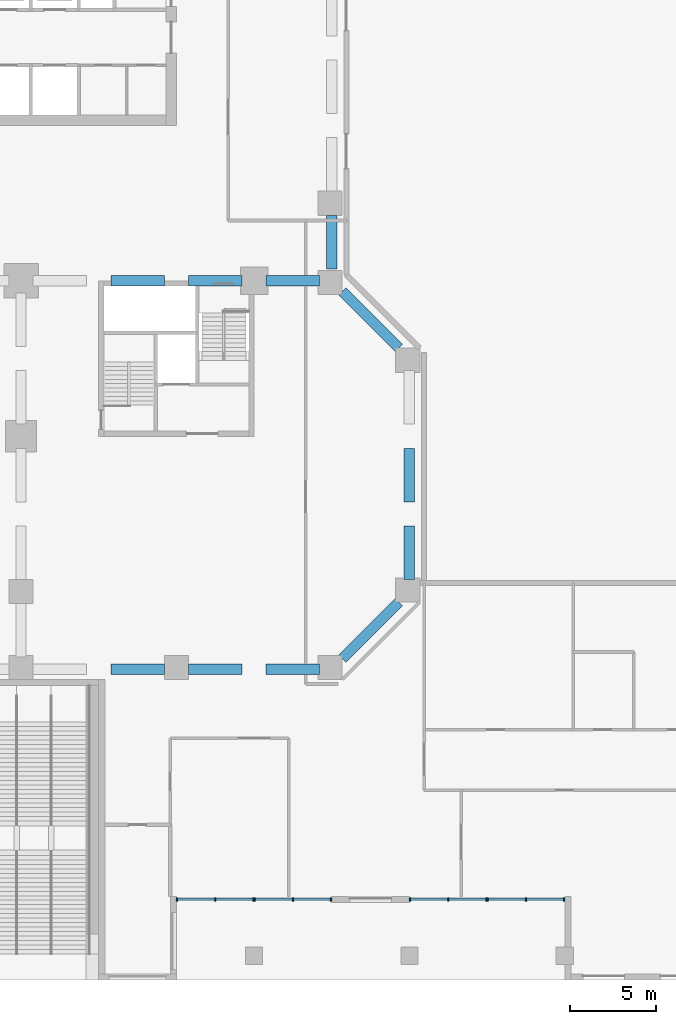
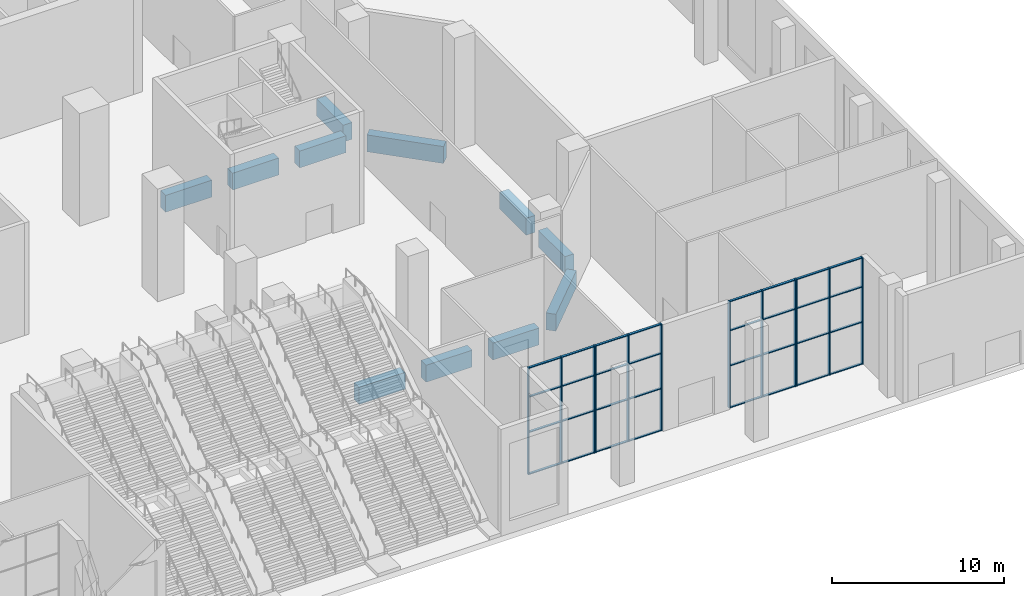
# One storey, part 4 of 32: 44 members, 11 beams, 4 elements without a shape of their own.
"""IFC4 building model written with IfcOpenShell, lengths in metres."""

from ifc_helpers import new_model, si_unit, direction, frame, origin, origin_2d, place, context, subcontext, project, spatial, rectangle, extrude, material, constituent, constituent_set, material_profile, profile_set, type_object, element, aggregate, save


model = new_model("IFC4")

# Units and contexts
model_context = context("Model", 3, precision=1e-05, world=origin(), true_north=direction((0.0, 1.0)))
body_context = subcontext(model_context, "Body", "Model", "MODEL_VIEW")
ifc_project = project(units=[si_unit("LENGTHUNIT", "METRE"), si_unit("AREAUNIT", "SQUARE_METRE"), si_unit("VOLUMEUNIT", "CUBIC_METRE"), si_unit("PLANEANGLEUNIT", "RADIAN"), si_unit("MASSUNIT", "GRAM", prefix="KILO")], contexts=[model_context])

# Site, building, storey
site_placement = place(None, origin())
site = spatial("IfcSite", under=ifc_project, at=site_placement, CompositionType="ELEMENT")
building_placement = place(site_placement, origin())
building = spatial("IfcBuilding", under=site, at=building_placement, Name="Quoin Convention Tower", CompositionType="ELEMENT")
storey_placement = place(building_placement, origin())
storey = spatial("IfcBuildingStorey", under=building, at=storey_placement, Name="L00", CompositionType="ELEMENT", Elevation=0.0)

# Curtain wall, members
ifc_material_1 = material(Name="Aluminium", Category="aluminium")
ifc_constituent_1 = constituent(ifc_material_1, Name="Frame")
ifc_material_2 = material(Name="Insulated glass", Category="glass")
ifc_constituent_2 = constituent(ifc_material_2, Name="Glazing")
ifc_constituent_set = constituent_set(constituents=[ifc_constituent_1, ifc_constituent_2], Name="Aluminium")
curtain_wall_type = type_object("IfcCurtainWallType", Name="Entrance wall system", PredefinedType="NOTDEFINED", material=ifc_constituent_set)
curtain_wall_1_placement = place(storey_placement, origin())
curtain_wall_1 = element("IfcCurtainWall", 1, at=curtain_wall_1_placement, inside=storey, type_object=curtain_wall_type, Name="cw-ENT-L00-67500_4675", PredefinedType="NOTDEFINED")
ifc_material_profile_1 = material_profile(ifc_material_1, rectangle(XDim=0.199951171875, YDim=0.074951171875, at=origin_2d()), Name="Entrance wall mullion 75x200")
ifc_profile_set_1 = profile_set([ifc_material_profile_1], Name="Aluminium")
member_type_1 = type_object("IfcMemberType", Name="Entrance wall mullion 75x200", PredefinedType="MULLION", material=ifc_profile_set_1)
member_1_placement = place(storey_placement, frame((67.53759765625, 4.675048828125, 0.0), z_axis=(0.0, 0.0, 1.0), x_axis=(0.0, 1.0, 0.0)))
member_1 = element("IfcMember", 2, at=member_1_placement, type_object=member_type_1, Name="CW1 mullion 1", PredefinedType="MULLION", context=body_context, shape_type="SweptSolid", body=[
    extrude(rectangle(XDim=0.199951171875, YDim=0.074951171875, at=origin_2d()), origin(), (0.0, 0.0, 1.0), 7.590087890625),
])
member_2_placement = place(storey_placement, frame((69.75, 4.675048828125, 0.0), z_axis=(0.0, 0.0, 1.0), x_axis=(0.0, 1.0, 0.0)))
member_2 = element("IfcMember", 3, at=member_2_placement, type_object=member_type_1, Name="CW1 mullion 2", PredefinedType="MULLION", context=body_context, shape_type="SweptSolid", body=[
    extrude(rectangle(XDim=0.199951171875, YDim=0.074951171875, at=origin_2d()), origin(), (0.0, 0.0, 1.0), 7.590087890625),
])
member_3_placement = place(storey_placement, frame((71.96240234375, 4.675048828125, 0.0), z_axis=(0.0, 0.0, 1.0), x_axis=(0.0, 1.0, 0.0)))
member_3 = element("IfcMember", 4, at=member_3_placement, type_object=member_type_1, Name="CW1 mullion 3", PredefinedType="MULLION", context=body_context, shape_type="SweptSolid", body=[
    extrude(rectangle(XDim=0.199951171875, YDim=0.074951171875, at=origin_2d()), origin(), (0.0, 0.0, 1.0), 7.590087890625),
])

curtain_wall_2_placement = place(storey_placement, origin())
curtain_wall_2 = element("IfcCurtainWall", 5, at=curtain_wall_2_placement, inside=storey, type_object=curtain_wall_type, Name="cw-ENT-L00-72000_4675", PredefinedType="NOTDEFINED")
member_4_placement = place(storey_placement, frame((72.03759765625, 4.675048828125, 0.0), z_axis=(0.0, 0.0, 1.0), x_axis=(0.0, 1.0, 0.0)))
member_4 = element("IfcMember", 6, at=member_4_placement, type_object=member_type_1, Name="CW1 mullion 1", PredefinedType="MULLION", context=body_context, shape_type="SweptSolid", body=[
    extrude(rectangle(XDim=0.199951171875, YDim=0.074951171875, at=origin_2d()), origin(), (0.0, 0.0, 1.0), 7.590087890625),
])
member_5_placement = place(storey_placement, frame((74.25, 4.675048828125, 0.0), z_axis=(0.0, 0.0, 1.0), x_axis=(0.0, 1.0, 0.0)))
member_5 = element("IfcMember", 7, at=member_5_placement, type_object=member_type_1, Name="CW1 mullion 2", PredefinedType="MULLION", context=body_context, shape_type="SweptSolid", body=[
    extrude(rectangle(XDim=0.199951171875, YDim=0.074951171875, at=origin_2d()), origin(), (0.0, 0.0, 1.0), 7.590087890625),
])
member_6_placement = place(storey_placement, frame((76.46240234375, 4.675048828125, 0.0), z_axis=(0.0, 0.0, 1.0), x_axis=(0.0, 1.0, 0.0)))
member_6 = element("IfcMember", 8, at=member_6_placement, type_object=member_type_1, Name="CW1 mullion 3", PredefinedType="MULLION", context=body_context, shape_type="SweptSolid", body=[
    extrude(rectangle(XDim=0.199951171875, YDim=0.074951171875, at=origin_2d()), origin(), (0.0, 0.0, 1.0), 7.590087890625),
])

curtain_wall_3_placement = place(storey_placement, origin())
curtain_wall_3 = element("IfcCurtainWall", 9, at=curtain_wall_3_placement, inside=storey, type_object=curtain_wall_type, Name="cw-ENT-L00-81000_4675", PredefinedType="NOTDEFINED")
member_7_placement = place(storey_placement, frame((81.03759765625, 4.675048828125, 0.0), z_axis=(0.0, 0.0, 1.0), x_axis=(0.0, 1.0, 0.0)))
member_7 = element("IfcMember", 10, at=member_7_placement, type_object=member_type_1, Name="CW1 mullion 1", PredefinedType="MULLION", context=body_context, shape_type="SweptSolid", body=[
    extrude(rectangle(XDim=0.199951171875, YDim=0.074951171875, at=origin_2d()), origin(), (0.0, 0.0, 1.0), 7.590087890625),
])
member_8_placement = place(storey_placement, frame((83.25, 4.675048828125, 0.0), z_axis=(0.0, 0.0, 1.0), x_axis=(0.0, 1.0, 0.0)))
member_8 = element("IfcMember", 11, at=member_8_placement, type_object=member_type_1, Name="CW1 mullion 2", PredefinedType="MULLION", context=body_context, shape_type="SweptSolid", body=[
    extrude(rectangle(XDim=0.199951171875, YDim=0.074951171875, at=origin_2d()), origin(), (0.0, 0.0, 1.0), 7.590087890625),
])
member_9_placement = place(storey_placement, frame((85.46240234375, 4.675048828125, 0.0), z_axis=(0.0, 0.0, 1.0), x_axis=(0.0, 1.0, 0.0)))
member_9 = element("IfcMember", 12, at=member_9_placement, type_object=member_type_1, Name="CW1 mullion 3", PredefinedType="MULLION", context=body_context, shape_type="SweptSolid", body=[
    extrude(rectangle(XDim=0.199951171875, YDim=0.074951171875, at=origin_2d()), origin(), (0.0, 0.0, 1.0), 7.590087890625),
])

curtain_wall_4_placement = place(storey_placement, origin())
curtain_wall_4 = element("IfcCurtainWall", 13, at=curtain_wall_4_placement, inside=storey, type_object=curtain_wall_type, Name="cw-ENT-L00-85500_4675", PredefinedType="NOTDEFINED")
member_10_placement = place(storey_placement, frame((85.53759765625, 4.675048828125, 0.0), z_axis=(0.0, 0.0, 1.0), x_axis=(0.0, 1.0, 0.0)))
member_10 = element("IfcMember", 14, at=member_10_placement, type_object=member_type_1, Name="CW1 mullion 1", PredefinedType="MULLION", context=body_context, shape_type="SweptSolid", body=[
    extrude(rectangle(XDim=0.199951171875, YDim=0.074951171875, at=origin_2d()), origin(), (0.0, 0.0, 1.0), 7.590087890625),
])
member_11_placement = place(storey_placement, frame((87.75, 4.675048828125, 0.0), z_axis=(0.0, 0.0, 1.0), x_axis=(0.0, 1.0, 0.0)))
member_11 = element("IfcMember", 15, at=member_11_placement, type_object=member_type_1, Name="CW1 mullion 2", PredefinedType="MULLION", context=body_context, shape_type="SweptSolid", body=[
    extrude(rectangle(XDim=0.199951171875, YDim=0.074951171875, at=origin_2d()), origin(), (0.0, 0.0, 1.0), 7.590087890625),
])
member_12_placement = place(storey_placement, frame((89.96240234375, 4.675048828125, 0.0), z_axis=(0.0, 0.0, 1.0), x_axis=(0.0, 1.0, 0.0)))
member_12 = element("IfcMember", 16, at=member_12_placement, type_object=member_type_1, Name="CW1 mullion 3", PredefinedType="MULLION", context=body_context, shape_type="SweptSolid", body=[
    extrude(rectangle(XDim=0.199951171875, YDim=0.074951171875, at=origin_2d()), origin(), (0.0, 0.0, 1.0), 7.590087890625),
])

# Member
ifc_material_profile_2 = material_profile(ifc_material_1, rectangle(XDim=0.14990234375, YDim=0.06005859375, at=origin_2d()), Name="Entrance wall transom 60x150")
ifc_profile_set_2 = profile_set([ifc_material_profile_2], Name="Aluminium")
member_type_2 = type_object("IfcMemberType", Name="Entrance wall transom 60x150", PredefinedType="USERDEFINED", material=ifc_profile_set_2)
member_13_placement = place(storey_placement, frame((67.574951171875, 4.675048828125, 0.030029296875), z_axis=(1.0, 0.0, 0.0), x_axis=(0.0, 1.0, 0.0)))
member_13 = element("IfcMember", 17, at=member_13_placement, type_object=member_type_2, Name="CW1 transom 1.1", ObjectType="TRANSOM", PredefinedType="USERDEFINED", context=body_context, shape_type="SweptSolid", body=[
    extrude(rectangle(XDim=0.14990234375, YDim=0.06005859375, at=origin_2d()), origin(), (0.0, 0.0, 1.0), 2.137451171875),
])

member_14_placement = place(storey_placement, frame((67.574951171875, 4.675048828125, 3.0), z_axis=(1.0, 0.0, 0.0), x_axis=(0.0, 1.0, 0.0)))
member_14 = element("IfcMember", 18, at=member_14_placement, type_object=member_type_2, Name="CW1 transom 1.2", ObjectType="TRANSOM", PredefinedType="USERDEFINED", context=body_context, shape_type="SweptSolid", body=[
    extrude(rectangle(XDim=0.14990234375, YDim=0.06005859375, at=origin_2d()), origin(), (0.0, 0.0, 1.0), 2.137451171875),
])

member_15_placement = place(storey_placement, frame((67.574951171875, 4.675048828125, 5.5), z_axis=(1.0, 0.0, 0.0), x_axis=(0.0, 1.0, 0.0)))
member_15 = element("IfcMember", 19, at=member_15_placement, type_object=member_type_2, Name="CW1 transom 1.3", ObjectType="TRANSOM", PredefinedType="USERDEFINED", context=body_context, shape_type="SweptSolid", body=[
    extrude(rectangle(XDim=0.14990234375, YDim=0.06005859375, at=origin_2d()), origin(), (0.0, 0.0, 1.0), 2.137451171875),
])

member_16_placement = place(storey_placement, frame((67.574951171875, 4.675048828125, 7.56005859375), z_axis=(1.0, 0.0, 0.0), x_axis=(0.0, 1.0, 0.0)))
member_16 = element("IfcMember", 20, at=member_16_placement, type_object=member_type_2, Name="CW1 transom 1.4", ObjectType="TRANSOM", PredefinedType="USERDEFINED", context=body_context, shape_type="SweptSolid", body=[
    extrude(rectangle(XDim=0.14990234375, YDim=0.06005859375, at=origin_2d()), origin(), (0.0, 0.0, 1.0), 2.137451171875),
])

member_17_placement = place(storey_placement, frame((69.78759765625, 4.675048828125, 0.030029296875), z_axis=(1.0, 0.0, 0.0), x_axis=(0.0, 1.0, 0.0)))
member_17 = element("IfcMember", 21, at=member_17_placement, type_object=member_type_2, Name="CW1 transom 2.1", ObjectType="TRANSOM", PredefinedType="USERDEFINED", context=body_context, shape_type="SweptSolid", body=[
    extrude(rectangle(XDim=0.14990234375, YDim=0.06005859375, at=origin_2d()), origin(), (0.0, 0.0, 1.0), 2.137451171875),
])

member_18_placement = place(storey_placement, frame((69.78759765625, 4.675048828125, 3.0), z_axis=(1.0, 0.0, 0.0), x_axis=(0.0, 1.0, 0.0)))
member_18 = element("IfcMember", 22, at=member_18_placement, type_object=member_type_2, Name="CW1 transom 2.2", ObjectType="TRANSOM", PredefinedType="USERDEFINED", context=body_context, shape_type="SweptSolid", body=[
    extrude(rectangle(XDim=0.14990234375, YDim=0.06005859375, at=origin_2d()), origin(), (0.0, 0.0, 1.0), 2.137451171875),
])

member_19_placement = place(storey_placement, frame((69.78759765625, 4.675048828125, 5.5), z_axis=(1.0, 0.0, 0.0), x_axis=(0.0, 1.0, 0.0)))
member_19 = element("IfcMember", 23, at=member_19_placement, type_object=member_type_2, Name="CW1 transom 2.3", ObjectType="TRANSOM", PredefinedType="USERDEFINED", context=body_context, shape_type="SweptSolid", body=[
    extrude(rectangle(XDim=0.14990234375, YDim=0.06005859375, at=origin_2d()), origin(), (0.0, 0.0, 1.0), 2.137451171875),
])

member_20_placement = place(storey_placement, frame((69.78759765625, 4.675048828125, 7.56005859375), z_axis=(1.0, 0.0, 0.0), x_axis=(0.0, 1.0, 0.0)))
member_20 = element("IfcMember", 24, at=member_20_placement, type_object=member_type_2, Name="CW1 transom 2.4", ObjectType="TRANSOM", PredefinedType="USERDEFINED", context=body_context, shape_type="SweptSolid", body=[
    extrude(rectangle(XDim=0.14990234375, YDim=0.06005859375, at=origin_2d()), origin(), (0.0, 0.0, 1.0), 2.137451171875),
])

aggregate(curtain_wall_1, [member_1, member_2, member_3, member_13, member_14, member_15, member_16, member_17, member_18, member_19, member_20])

member_21_placement = place(storey_placement, frame((72.074951171875, 4.675048828125, 0.030029296875), z_axis=(1.0, 0.0, 0.0), x_axis=(0.0, 1.0, 0.0)))
member_21 = element("IfcMember", 25, at=member_21_placement, type_object=member_type_2, Name="CW1 transom 1.1", ObjectType="TRANSOM", PredefinedType="USERDEFINED", context=body_context, shape_type="SweptSolid", body=[
    extrude(rectangle(XDim=0.14990234375, YDim=0.06005859375, at=origin_2d()), origin(), (0.0, 0.0, 1.0), 2.137451171875),
])

member_22_placement = place(storey_placement, frame((72.074951171875, 4.675048828125, 3.0), z_axis=(1.0, 0.0, 0.0), x_axis=(0.0, 1.0, 0.0)))
member_22 = element("IfcMember", 26, at=member_22_placement, type_object=member_type_2, Name="CW1 transom 1.2", ObjectType="TRANSOM", PredefinedType="USERDEFINED", context=body_context, shape_type="SweptSolid", body=[
    extrude(rectangle(XDim=0.14990234375, YDim=0.06005859375, at=origin_2d()), origin(), (0.0, 0.0, 1.0), 2.137451171875),
])

member_23_placement = place(storey_placement, frame((72.074951171875, 4.675048828125, 5.5), z_axis=(1.0, 0.0, 0.0), x_axis=(0.0, 1.0, 0.0)))
member_23 = element("IfcMember", 27, at=member_23_placement, type_object=member_type_2, Name="CW1 transom 1.3", ObjectType="TRANSOM", PredefinedType="USERDEFINED", context=body_context, shape_type="SweptSolid", body=[
    extrude(rectangle(XDim=0.14990234375, YDim=0.06005859375, at=origin_2d()), origin(), (0.0, 0.0, 1.0), 2.137451171875),
])

member_24_placement = place(storey_placement, frame((72.074951171875, 4.675048828125, 7.56005859375), z_axis=(1.0, 0.0, 0.0), x_axis=(0.0, 1.0, 0.0)))
member_24 = element("IfcMember", 28, at=member_24_placement, type_object=member_type_2, Name="CW1 transom 1.4", ObjectType="TRANSOM", PredefinedType="USERDEFINED", context=body_context, shape_type="SweptSolid", body=[
    extrude(rectangle(XDim=0.14990234375, YDim=0.06005859375, at=origin_2d()), origin(), (0.0, 0.0, 1.0), 2.137451171875),
])

member_25_placement = place(storey_placement, frame((74.28759765625, 4.675048828125, 0.030029296875), z_axis=(1.0, 0.0, 0.0), x_axis=(0.0, 1.0, 0.0)))
member_25 = element("IfcMember", 29, at=member_25_placement, type_object=member_type_2, Name="CW1 transom 2.1", ObjectType="TRANSOM", PredefinedType="USERDEFINED", context=body_context, shape_type="SweptSolid", body=[
    extrude(rectangle(XDim=0.14990234375, YDim=0.06005859375, at=origin_2d()), origin(), (0.0, 0.0, 1.0), 2.137451171875),
])

member_26_placement = place(storey_placement, frame((74.28759765625, 4.675048828125, 3.0), z_axis=(1.0, 0.0, 0.0), x_axis=(0.0, 1.0, 0.0)))
member_26 = element("IfcMember", 30, at=member_26_placement, type_object=member_type_2, Name="CW1 transom 2.2", ObjectType="TRANSOM", PredefinedType="USERDEFINED", context=body_context, shape_type="SweptSolid", body=[
    extrude(rectangle(XDim=0.14990234375, YDim=0.06005859375, at=origin_2d()), origin(), (0.0, 0.0, 1.0), 2.137451171875),
])

member_27_placement = place(storey_placement, frame((74.28759765625, 4.675048828125, 5.5), z_axis=(1.0, 0.0, 0.0), x_axis=(0.0, 1.0, 0.0)))
member_27 = element("IfcMember", 31, at=member_27_placement, type_object=member_type_2, Name="CW1 transom 2.3", ObjectType="TRANSOM", PredefinedType="USERDEFINED", context=body_context, shape_type="SweptSolid", body=[
    extrude(rectangle(XDim=0.14990234375, YDim=0.06005859375, at=origin_2d()), origin(), (0.0, 0.0, 1.0), 2.137451171875),
])

member_28_placement = place(storey_placement, frame((74.28759765625, 4.675048828125, 7.56005859375), z_axis=(1.0, 0.0, 0.0), x_axis=(0.0, 1.0, 0.0)))
member_28 = element("IfcMember", 32, at=member_28_placement, type_object=member_type_2, Name="CW1 transom 2.4", ObjectType="TRANSOM", PredefinedType="USERDEFINED", context=body_context, shape_type="SweptSolid", body=[
    extrude(rectangle(XDim=0.14990234375, YDim=0.06005859375, at=origin_2d()), origin(), (0.0, 0.0, 1.0), 2.137451171875),
])

aggregate(curtain_wall_2, [member_4, member_5, member_6, member_21, member_22, member_23, member_24, member_25, member_26, member_27, member_28])

member_29_placement = place(storey_placement, frame((81.074951171875, 4.675048828125, 0.030029296875), z_axis=(1.0, 0.0, 0.0), x_axis=(0.0, 1.0, 0.0)))
member_29 = element("IfcMember", 33, at=member_29_placement, type_object=member_type_2, Name="CW1 transom 1.1", ObjectType="TRANSOM", PredefinedType="USERDEFINED", context=body_context, shape_type="SweptSolid", body=[
    extrude(rectangle(XDim=0.14990234375, YDim=0.06005859375, at=origin_2d()), origin(), (0.0, 0.0, 1.0), 2.137451171875),
])

member_30_placement = place(storey_placement, frame((81.074951171875, 4.675048828125, 3.0), z_axis=(1.0, 0.0, 0.0), x_axis=(0.0, 1.0, 0.0)))
member_30 = element("IfcMember", 34, at=member_30_placement, type_object=member_type_2, Name="CW1 transom 1.2", ObjectType="TRANSOM", PredefinedType="USERDEFINED", context=body_context, shape_type="SweptSolid", body=[
    extrude(rectangle(XDim=0.14990234375, YDim=0.06005859375, at=origin_2d()), origin(), (0.0, 0.0, 1.0), 2.137451171875),
])

member_31_placement = place(storey_placement, frame((81.074951171875, 4.675048828125, 5.5), z_axis=(1.0, 0.0, 0.0), x_axis=(0.0, 1.0, 0.0)))
member_31 = element("IfcMember", 35, at=member_31_placement, type_object=member_type_2, Name="CW1 transom 1.3", ObjectType="TRANSOM", PredefinedType="USERDEFINED", context=body_context, shape_type="SweptSolid", body=[
    extrude(rectangle(XDim=0.14990234375, YDim=0.06005859375, at=origin_2d()), origin(), (0.0, 0.0, 1.0), 2.137451171875),
])

member_32_placement = place(storey_placement, frame((81.074951171875, 4.675048828125, 7.56005859375), z_axis=(1.0, 0.0, 0.0), x_axis=(0.0, 1.0, 0.0)))
member_32 = element("IfcMember", 36, at=member_32_placement, type_object=member_type_2, Name="CW1 transom 1.4", ObjectType="TRANSOM", PredefinedType="USERDEFINED", context=body_context, shape_type="SweptSolid", body=[
    extrude(rectangle(XDim=0.14990234375, YDim=0.06005859375, at=origin_2d()), origin(), (0.0, 0.0, 1.0), 2.137451171875),
])

member_33_placement = place(storey_placement, frame((83.28759765625, 4.675048828125, 0.030029296875), z_axis=(1.0, 0.0, 0.0), x_axis=(0.0, 1.0, 0.0)))
member_33 = element("IfcMember", 37, at=member_33_placement, type_object=member_type_2, Name="CW1 transom 2.1", ObjectType="TRANSOM", PredefinedType="USERDEFINED", context=body_context, shape_type="SweptSolid", body=[
    extrude(rectangle(XDim=0.14990234375, YDim=0.06005859375, at=origin_2d()), origin(), (0.0, 0.0, 1.0), 2.137451171875),
])

member_34_placement = place(storey_placement, frame((83.28759765625, 4.675048828125, 3.0), z_axis=(1.0, 0.0, 0.0), x_axis=(0.0, 1.0, 0.0)))
member_34 = element("IfcMember", 38, at=member_34_placement, type_object=member_type_2, Name="CW1 transom 2.2", ObjectType="TRANSOM", PredefinedType="USERDEFINED", context=body_context, shape_type="SweptSolid", body=[
    extrude(rectangle(XDim=0.14990234375, YDim=0.06005859375, at=origin_2d()), origin(), (0.0, 0.0, 1.0), 2.137451171875),
])

member_35_placement = place(storey_placement, frame((83.28759765625, 4.675048828125, 5.5), z_axis=(1.0, 0.0, 0.0), x_axis=(0.0, 1.0, 0.0)))
member_35 = element("IfcMember", 39, at=member_35_placement, type_object=member_type_2, Name="CW1 transom 2.3", ObjectType="TRANSOM", PredefinedType="USERDEFINED", context=body_context, shape_type="SweptSolid", body=[
    extrude(rectangle(XDim=0.14990234375, YDim=0.06005859375, at=origin_2d()), origin(), (0.0, 0.0, 1.0), 2.137451171875),
])

member_36_placement = place(storey_placement, frame((83.28759765625, 4.675048828125, 7.56005859375), z_axis=(1.0, 0.0, 0.0), x_axis=(0.0, 1.0, 0.0)))
member_36 = element("IfcMember", 40, at=member_36_placement, type_object=member_type_2, Name="CW1 transom 2.4", ObjectType="TRANSOM", PredefinedType="USERDEFINED", context=body_context, shape_type="SweptSolid", body=[
    extrude(rectangle(XDim=0.14990234375, YDim=0.06005859375, at=origin_2d()), origin(), (0.0, 0.0, 1.0), 2.137451171875),
])

aggregate(curtain_wall_3, [member_7, member_8, member_9, member_29, member_30, member_31, member_32, member_33, member_34, member_35, member_36])

member_37_placement = place(storey_placement, frame((85.574951171875, 4.675048828125, 0.030029296875), z_axis=(1.0, 0.0, 0.0), x_axis=(0.0, 1.0, 0.0)))
member_37 = element("IfcMember", 41, at=member_37_placement, type_object=member_type_2, Name="CW1 transom 1.1", ObjectType="TRANSOM", PredefinedType="USERDEFINED", context=body_context, shape_type="SweptSolid", body=[
    extrude(rectangle(XDim=0.14990234375, YDim=0.06005859375, at=origin_2d()), origin(), (0.0, 0.0, 1.0), 2.137451171875),
])

member_38_placement = place(storey_placement, frame((85.574951171875, 4.675048828125, 3.0), z_axis=(1.0, 0.0, 0.0), x_axis=(0.0, 1.0, 0.0)))
member_38 = element("IfcMember", 42, at=member_38_placement, type_object=member_type_2, Name="CW1 transom 1.2", ObjectType="TRANSOM", PredefinedType="USERDEFINED", context=body_context, shape_type="SweptSolid", body=[
    extrude(rectangle(XDim=0.14990234375, YDim=0.06005859375, at=origin_2d()), origin(), (0.0, 0.0, 1.0), 2.137451171875),
])

member_39_placement = place(storey_placement, frame((85.574951171875, 4.675048828125, 5.5), z_axis=(1.0, 0.0, 0.0), x_axis=(0.0, 1.0, 0.0)))
member_39 = element("IfcMember", 43, at=member_39_placement, type_object=member_type_2, Name="CW1 transom 1.3", ObjectType="TRANSOM", PredefinedType="USERDEFINED", context=body_context, shape_type="SweptSolid", body=[
    extrude(rectangle(XDim=0.14990234375, YDim=0.06005859375, at=origin_2d()), origin(), (0.0, 0.0, 1.0), 2.137451171875),
])

member_40_placement = place(storey_placement, frame((85.574951171875, 4.675048828125, 7.56005859375), z_axis=(1.0, 0.0, 0.0), x_axis=(0.0, 1.0, 0.0)))
member_40 = element("IfcMember", 44, at=member_40_placement, type_object=member_type_2, Name="CW1 transom 1.4", ObjectType="TRANSOM", PredefinedType="USERDEFINED", context=body_context, shape_type="SweptSolid", body=[
    extrude(rectangle(XDim=0.14990234375, YDim=0.06005859375, at=origin_2d()), origin(), (0.0, 0.0, 1.0), 2.137451171875),
])

member_41_placement = place(storey_placement, frame((87.78759765625, 4.675048828125, 0.030029296875), z_axis=(1.0, 0.0, 0.0), x_axis=(0.0, 1.0, 0.0)))
member_41 = element("IfcMember", 45, at=member_41_placement, type_object=member_type_2, Name="CW1 transom 2.1", ObjectType="TRANSOM", PredefinedType="USERDEFINED", context=body_context, shape_type="SweptSolid", body=[
    extrude(rectangle(XDim=0.14990234375, YDim=0.06005859375, at=origin_2d()), origin(), (0.0, 0.0, 1.0), 2.137451171875),
])

member_42_placement = place(storey_placement, frame((87.78759765625, 4.675048828125, 3.0), z_axis=(1.0, 0.0, 0.0), x_axis=(0.0, 1.0, 0.0)))
member_42 = element("IfcMember", 46, at=member_42_placement, type_object=member_type_2, Name="CW1 transom 2.2", ObjectType="TRANSOM", PredefinedType="USERDEFINED", context=body_context, shape_type="SweptSolid", body=[
    extrude(rectangle(XDim=0.14990234375, YDim=0.06005859375, at=origin_2d()), origin(), (0.0, 0.0, 1.0), 2.137451171875),
])

member_43_placement = place(storey_placement, frame((87.78759765625, 4.675048828125, 5.5), z_axis=(1.0, 0.0, 0.0), x_axis=(0.0, 1.0, 0.0)))
member_43 = element("IfcMember", 47, at=member_43_placement, type_object=member_type_2, Name="CW1 transom 2.3", ObjectType="TRANSOM", PredefinedType="USERDEFINED", context=body_context, shape_type="SweptSolid", body=[
    extrude(rectangle(XDim=0.14990234375, YDim=0.06005859375, at=origin_2d()), origin(), (0.0, 0.0, 1.0), 2.137451171875),
])

member_44_placement = place(storey_placement, frame((87.78759765625, 4.675048828125, 7.56005859375), z_axis=(1.0, 0.0, 0.0), x_axis=(0.0, 1.0, 0.0)))
member_44 = element("IfcMember", 48, at=member_44_placement, type_object=member_type_2, Name="CW1 transom 2.4", ObjectType="TRANSOM", PredefinedType="USERDEFINED", context=body_context, shape_type="SweptSolid", body=[
    extrude(rectangle(XDim=0.14990234375, YDim=0.06005859375, at=origin_2d()), origin(), (0.0, 0.0, 1.0), 2.137451171875),
])

aggregate(curtain_wall_4, [member_10, member_11, member_12, member_37, member_38, member_39, member_40, member_41, member_42, member_43, member_44])

# Beams
ifc_material_3 = material(Name="Concrete C100 (100 MPa)", Category="concrete")
ifc_material_profile_3 = material_profile(ifc_material_3, rectangle(XDim=0.60009765625, YDim=1.199951171875, at=origin_2d()), Name="RC 600x1200")
ifc_profile_set_3 = profile_set([ifc_material_profile_3], Name="Concrete C100 (100 MPa)")
beam_type = type_object("IfcBeamType", Name="RC 600x1200 C100", PredefinedType="SPANDREL", material=ifc_profile_set_3)
for number, where, z_axis, x_axis, name in (
    (49, (63.699951171875, 18.0, -1.0), (1.0, 0.0, 0.0), (0.0, 1.0, 0.0), "spd-L00-63000_18000-67500_18000"),
    (50, (68.199951171875, 18.0, -1.0), (1.0, 0.0, 0.0), (0.0, 1.0, 0.0), "spd-L00-67500_18000-72000_18000"),
    (51, (72.699951171875, 18.0, -1.0), (1.0, 0.0, 0.0), (0.0, 1.0, 0.0), "spd-L00-72000_18000-76500_18000"),
):
    element("IfcBeam", number, at=place(storey_placement, frame(where, z_axis=z_axis, x_axis=x_axis)), inside=storey, type_object=beam_type, Name=name, PredefinedType="SPANDREL", context=body_context, shape_type="SweptSolid", body=[
        extrude(rectangle(XDim=0.60009765625, YDim=1.199951171875, at=origin_2d()), origin(), (0.0, 0.0, 1.0), 3.10009765625),
    ])
beam_1_placement = place(storey_placement, frame((77.114990234375, 18.614990234375, -1.0), z_axis=(0.707106781187, 0.707106781187, 0.0), x_axis=(-0.707106781187, 0.707106781187, 0.0)))
element("IfcBeam", 52, at=beam_1_placement, inside=storey, type_object=beam_type, Name="spd-L00-76500_18000-81000_22500", PredefinedType="SPANDREL", context=body_context, shape_type="SweptSolid", body=[
    extrude(rectangle(XDim=0.60009765625, YDim=1.199951171875, at=origin_2d()), origin(), (0.0, 0.0, 1.0), 4.62451171875),
])
for number, where, z_axis, x_axis, name in (
    (53, (81.0, 23.199951171875, -1.0), (0.0, 1.0, 0.0), (-1.0, 0.0, 0.0), "spd-L00-81000_22500-81000_27000"),
    (54, (81.0, 27.699951171875, -1.0), (0.0, 1.0, 0.0), (-1.0, 0.0, 0.0), "spd-L00-81000_27000-81000_31500"),
):
    element("IfcBeam", number, at=place(storey_placement, frame(where, z_axis=z_axis, x_axis=x_axis)), inside=storey, type_object=beam_type, Name=name, PredefinedType="SPANDREL", context=body_context, shape_type="SweptSolid", body=[
        extrude(rectangle(XDim=0.60009765625, YDim=1.199951171875, at=origin_2d()), origin(), (0.0, 0.0, 1.0), 3.10009765625),
    ])
beam_2_placement = place(storey_placement, frame((80.385009765625, 36.614990234375, -1.0), z_axis=(-0.707106781187, 0.707106781187, 0.0), x_axis=(-0.707106781187, -0.707106781187, 0.0)))
element("IfcBeam", 55, at=beam_2_placement, inside=storey, type_object=beam_type, Name="spd-L00-81000_36000-76500_40500", PredefinedType="SPANDREL", context=body_context, shape_type="SweptSolid", body=[
    extrude(rectangle(XDim=0.60009765625, YDim=1.199951171875, at=origin_2d()), origin(), (0.0, 0.0, 1.0), 4.62451171875),
])
for number, where, z_axis, x_axis, name in (
    (56, (76.5, 41.199951171875, -1.0), (0.0, 1.0, 0.0), (-1.0, 0.0, 0.0), "spd-L00-76500_40500-76500_45000"),
    (57, (63.699951171875, 40.5, -1.0), (1.0, 0.0, 0.0), (0.0, 1.0, 0.0), "spd-L00-63000_40500-67500_40500"),
    (58, (68.199951171875, 40.5, -1.0), (1.0, 0.0, 0.0), (0.0, 1.0, 0.0), "spd-L00-67500_40500-72000_40500"),
    (59, (72.699951171875, 40.5, -1.0), (1.0, 0.0, 0.0), (0.0, 1.0, 0.0), "spd-L00-72000_40500-76500_40500"),
):
    element("IfcBeam", number, at=place(storey_placement, frame(where, z_axis=z_axis, x_axis=x_axis)), inside=storey, type_object=beam_type, Name=name, PredefinedType="SPANDREL", context=body_context, shape_type="SweptSolid", body=[
        extrude(rectangle(XDim=0.60009765625, YDim=1.199951171875, at=origin_2d()), origin(), (0.0, 0.0, 1.0), 3.10009765625),
    ])

save(model, "model.ifc")
